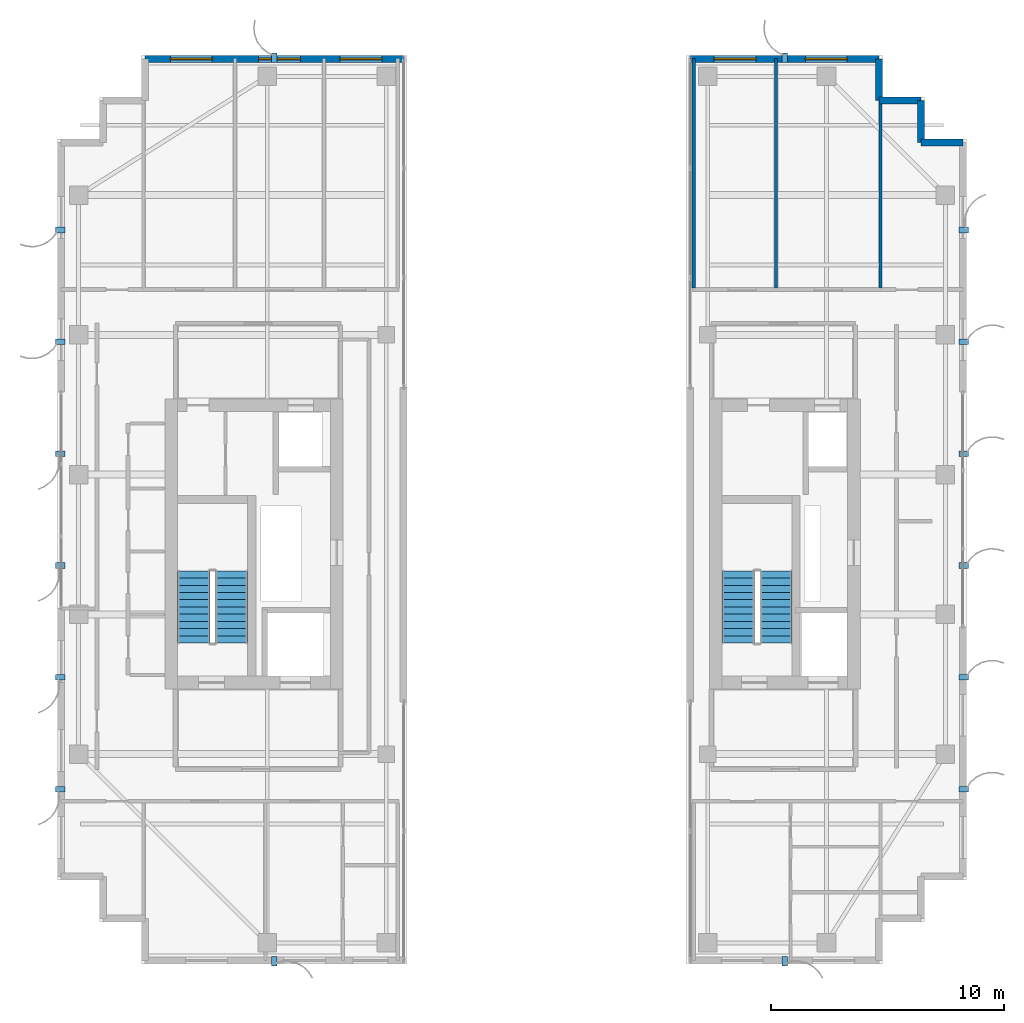
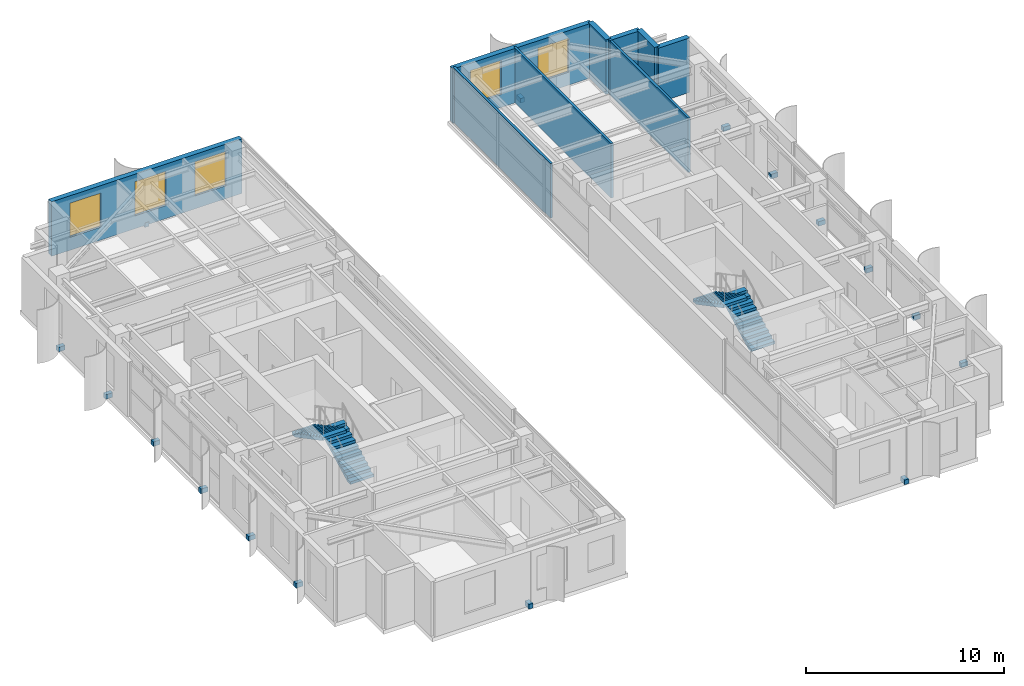
# One storey, part 21 of 24: 16 discrete accessories, 9 walls, 5 windows, 4 stair flights, 5 openings, 2 elements without a shape of their own.
"""IFC4 building model written with IfcOpenShell, lengths in metres."""

from ifc_helpers import new_model, si_unit, direction, frame, frame_2d, origin, origin_2d, place, context, subcontext, project, spatial, polyline, rectangle, outline, extrude, source, transform, mapped, material, layer, layer_set, type_object, element, fill, aggregate, save


model = new_model("IFC4")

# Units and contexts
model_context = context("Model", 3, precision=1e-05, world=origin(), true_north=direction((0.0, 1.0)))
body_context = subcontext(model_context, "Body", "Model", "MODEL_VIEW")
ifc_project = project(units=[si_unit("LENGTHUNIT", "METRE"), si_unit("AREAUNIT", "SQUARE_METRE"), si_unit("VOLUMEUNIT", "CUBIC_METRE"), si_unit("PLANEANGLEUNIT", "RADIAN"), si_unit("MASSUNIT", "GRAM", prefix="KILO")], contexts=[model_context])

# Site, building, storey
site_placement = place(None, origin())
site = spatial("IfcSite", under=ifc_project, at=site_placement, CompositionType="ELEMENT")
building_placement = place(site_placement, origin())
building = spatial("IfcBuilding", under=site, at=building_placement, Name="Khoralis Quay Care Tower", CompositionType="ELEMENT")
storey_placement = place(building_placement, frame((0.0, 0.0, 231.300048828125)))
storey = spatial("IfcBuildingStorey", under=building, at=storey_placement, Name="L60", CompositionType="ELEMENT", Elevation=231.300048828125)

# Wall, openings, windows
ifc_material_1 = material(Name="Precast concrete C45/55", Category="concrete")
ifc_layer_1 = layer(ifc_material_1, 0.300048828125)
ifc_layer_set_1 = layer_set([ifc_layer_1], Name="Precast concrete C45/55")
wall_type_1 = type_object("IfcWallType", Name="WL-EXT-REF-300", PredefinedType="SOLIDWALL", material=ifc_layer_set_1)
wall_1_placement = place(storey_placement, frame((17.85009765625, 41.85009765625, 0.0), z_axis=(0.0, 0.0, 1.0), x_axis=(-1.0, 0.0, 0.0)))
wall_1 = element("IfcWall", 1, at=wall_1_placement, inside=storey, type_object=wall_type_1, Name="L60 External Facade Wall WL-EXT-L60-P1-E2", PredefinedType="SOLIDWALL", context=body_context, shape_type="SweptSolid", body=[
    extrude(rectangle(XDim=11.10009765625, YDim=0.300048828125, at=frame_2d((5.550048828125, 0.0))), origin(), (0.0, 0.0, 1.0), 3.35986328125),
])
opening_1_placement = place(wall_1_placement, frame((0.93505859375, 0.0, 0.800048828125)))
opening_1 = element("IfcOpeningElement", 2, at=opening_1_placement, cuts=wall_1, Name="Opening W2", PredefinedType="OPENING", context=body_context, shape_type="SweptSolid", body=[
    extrude(rectangle(XDim=1.800048828125, YDim=2.10009765625, at=frame_2d((0.89990234375, 1.050048828125))), frame((0.0, 0.16015625, 0.0), z_axis=(0.0, -1.0, 0.0), x_axis=(1.0, 0.0, 0.0)), (0.0, 0.0, 1.0), 0.320068359375),
])
opening_2_placement = place(wall_1_placement, frame((4.429931640625, 0.0, 0.800048828125)))
opening_2 = element("IfcOpeningElement", 3, at=opening_2_placement, cuts=wall_1, Name="Opening W2", PredefinedType="OPENING", context=body_context, shape_type="SweptSolid", body=[
    extrude(rectangle(XDim=1.800048828125, YDim=2.10009765625, at=frame_2d((0.89990234375, 1.050048828125))), frame((0.0, 0.16015625, 0.0), z_axis=(0.0, -1.0, 0.0), x_axis=(1.0, 0.0, 0.0)), (0.0, 0.0, 1.0), 0.320068359375),
])
opening_3_placement = place(wall_1_placement, frame((8.219970703125, 0.0, 0.800048828125)))
opening_3 = element("IfcOpeningElement", 4, at=opening_3_placement, cuts=wall_1, Name="Opening W2", PredefinedType="OPENING", context=body_context, shape_type="SweptSolid", body=[
    extrude(rectangle(XDim=1.800048828125, YDim=2.10009765625, at=frame_2d((0.89990234375, 1.050048828125))), frame((0.0, 0.16015625, 0.0), z_axis=(0.0, -1.0, 0.0), x_axis=(1.0, 0.0, 0.0)), (0.0, 0.0, 1.0), 0.320068359375),
])
ifc_material_2 = material(Name="Low-E solar-control double glazing", Category="glass")
window_type = type_object("IfcWindowType", Name="WN-POD-1800X2100", PartitioningType="SINGLE_PANEL", PredefinedType="WINDOW", material=ifc_material_2)
shared_shape_1 = source(origin(), body_context, "Body", "SweptSolid", [
    extrude(rectangle(XDim=1.800048828125, YDim=2.10009765625, at=frame_2d((0.89990234375, 1.050048828125))), frame((0.0, 0.030029296875, 0.0), z_axis=(0.0, -1.0, 0.0), x_axis=(1.0, 0.0, 0.0)), (0.0, 0.0, 1.0), 0.06005859375),
])
window_1_placement = place(opening_1_placement, origin())
window_1 = element("IfcWindow", 5, at=window_1_placement, inside=storey, type_object=window_type, Name="WN-L60-P1-E2 Facade Window 01", OverallHeight=2.10009765625, OverallWidth=1.800048828125, PartitioningType="SINGLE_PANEL", PredefinedType="WINDOW", context=body_context, shape_type="MappedRepresentation", body=[
    mapped(shared_shape_1, transform((0.0, 0.0, 0.0), scale=1.0)),
])
fill(opening_1, window_1)
window_2_placement = place(opening_2_placement, origin())
window_2 = element("IfcWindow", 6, at=window_2_placement, inside=storey, type_object=window_type, Name="WN-L60-P1-E2 Facade Window 02", OverallHeight=2.10009765625, OverallWidth=1.800048828125, PartitioningType="SINGLE_PANEL", PredefinedType="WINDOW", context=body_context, shape_type="MappedRepresentation", body=[
    mapped(shared_shape_1, transform((0.0, 0.0, 0.0), scale=1.0)),
])
fill(opening_2, window_2)
window_3_placement = place(opening_3_placement, origin())
window_3 = element("IfcWindow", 7, at=window_3_placement, inside=storey, type_object=window_type, Name="WN-L60-P1-E2 Facade Window 03", OverallHeight=2.10009765625, OverallWidth=1.800048828125, PartitioningType="SINGLE_PANEL", PredefinedType="WINDOW", context=body_context, shape_type="MappedRepresentation", body=[
    mapped(shared_shape_1, transform((0.0, 0.0, 0.0), scale=1.0)),
])
fill(opening_3, window_3)

# Walls
for number, where, z_axis, x_axis, name in (
    (8, (41.85009765625, 38.25, 0.0), (0.0, 0.0, 1.0), (-1.0, 0.0, 0.0), "L60 External Facade Wall WL-EXT-L60-P2-C6"),
    (9, (40.050048828125, 38.25, 0.0), (0.0, 0.0, 1.0), (0.0, 1.0, 0.0), "L60 External Facade Wall WL-EXT-L60-P2-C7"),
    (10, (40.050048828125, 40.050048828125, 0.0), (0.0, 0.0, 1.0), (-1.0, 0.0, 0.0), "L60 External Facade Wall WL-EXT-L60-P2-C8"),
    (11, (38.25, 40.050048828125, 0.0), (0.0, 0.0, 1.0), (0.0, 1.0, 0.0), "L60 External Facade Wall WL-EXT-L60-P2-C9"),
):
    element("IfcWall", number, at=place(storey_placement, frame(where, z_axis=z_axis, x_axis=x_axis)), inside=storey, type_object=wall_type_1, Name=name, PredefinedType="SOLIDWALL", context=body_context, shape_type="SweptSolid", body=[
        extrude(rectangle(XDim=1.800048828125, YDim=0.300048828125, at=frame_2d((0.89990234375, 0.0))), origin(), (0.0, 0.0, 1.0), 3.35986328125),
    ])

# Wall, openings, windows
wall_2_placement = place(storey_placement, frame((38.25, 41.85009765625, 0.0), z_axis=(0.0, 0.0, 1.0), x_axis=(-1.0, 0.0, 0.0)))
wall_2 = element("IfcWall", 12, at=wall_2_placement, inside=storey, type_object=wall_type_1, Name="L60 External Facade Wall WL-EXT-L60-P2-E10", PredefinedType="SOLIDWALL", context=body_context, shape_type="SweptSolid", body=[
    extrude(rectangle(XDim=8.10009765625, YDim=0.300048828125, at=frame_2d((4.050048828125, 0.0))), origin(), (0.0, 0.0, 1.0), 3.35986328125),
])
opening_4_placement = place(wall_2_placement, frame((1.360107421875, 0.0, 0.800048828125)))
opening_4 = element("IfcOpeningElement", 13, at=opening_4_placement, cuts=wall_2, Name="Opening W2", PredefinedType="OPENING", context=body_context, shape_type="SweptSolid", body=[
    extrude(rectangle(XDim=1.800048828125, YDim=2.10009765625, at=frame_2d((0.89990234375, 1.050048828125))), frame((0.0, 0.16015625, 0.0), z_axis=(0.0, -1.0, 0.0), x_axis=(1.0, 0.0, 0.0)), (0.0, 0.0, 1.0), 0.320068359375),
])
opening_5_placement = place(wall_2_placement, frame((5.284912109375, 0.0, 0.800048828125)))
opening_5 = element("IfcOpeningElement", 14, at=opening_5_placement, cuts=wall_2, Name="Opening W2", PredefinedType="OPENING", context=body_context, shape_type="SweptSolid", body=[
    extrude(rectangle(XDim=1.800048828125, YDim=2.10009765625, at=frame_2d((0.89990234375, 1.050048828125))), frame((0.0, 0.16015625, 0.0), z_axis=(0.0, -1.0, 0.0), x_axis=(1.0, 0.0, 0.0)), (0.0, 0.0, 1.0), 0.320068359375),
])
window_4_placement = place(opening_4_placement, origin())
window_4 = element("IfcWindow", 15, at=window_4_placement, inside=storey, type_object=window_type, Name="WN-L60-P2-E10 Facade Window 01", OverallHeight=2.10009765625, OverallWidth=1.800048828125, PartitioningType="SINGLE_PANEL", PredefinedType="WINDOW", context=body_context, shape_type="MappedRepresentation", body=[
    mapped(shared_shape_1, transform((0.0, 0.0, 0.0), scale=1.0)),
])
fill(opening_4, window_4)
window_5_placement = place(opening_5_placement, origin())
window_5 = element("IfcWindow", 16, at=window_5_placement, inside=storey, type_object=window_type, Name="WN-L60-P2-E10 Facade Window 02", OverallHeight=2.10009765625, OverallWidth=1.800048828125, PartitioningType="SINGLE_PANEL", PredefinedType="WINDOW", context=body_context, shape_type="MappedRepresentation", body=[
    mapped(shared_shape_1, transform((0.0, 0.0, 0.0), scale=1.0)),
])
fill(opening_5, window_5)

# Walls
ifc_material_3 = material(Name="Gypsum plasterboard on acoustic metal stud")
ifc_layer_2 = layer(ifc_material_3, 0.139892578125)
ifc_layer_set_2 = layer_set([ifc_layer_2], Name="Gypsum plasterboard on acoustic metal stud")
wall_type_2 = type_object("IfcWallType", Name="WL-UNIT-140", PredefinedType="PARTITIONING", material=ifc_layer_set_2)
for number, where, z_axis, x_axis, name in (
    (17, (30.300048828125, 32.017578125, 0.0), (0.0, 0.0, 1.0), (0.0, 1.0, 0.0), "L60 EN Demising Wall 0"),
    (18, (33.830078125, 32.017578125, 0.0), (0.0, 0.0, 1.0), (0.0, 1.0, 0.0), "L60 EN Demising Wall 1"),
):
    element("IfcWall", number, at=place(storey_placement, frame(where, z_axis=z_axis, x_axis=x_axis)), inside=storey, type_object=wall_type_2, Name=name, PredefinedType="PARTITIONING", context=body_context, shape_type="SweptSolid", body=[
        extrude(rectangle(XDim=9.83740234375, YDim=0.139892578125, at=frame_2d((4.918701171875, 0.0))), origin(), (0.0, 0.0, 1.0), 3.35986328125),
    ])
wall_3_placement = place(storey_placement, frame((38.320068359375, 32.017578125, 0.0), z_axis=(0.0, 0.0, 1.0), x_axis=(0.0, 1.0, 0.0)))
element("IfcWall", 19, at=wall_3_placement, inside=storey, type_object=wall_type_2, Name="L60 EN Demising Wall 2", PredefinedType="PARTITIONING", context=body_context, shape_type="SweptSolid", body=[
    extrude(rectangle(XDim=8.037353515625, YDim=0.139892578125, at=frame_2d((4.0185546875, 0.0))), origin(), (0.0, 0.0, 1.0), 3.35986328125),
])

# Stair, stair flights
stair_type = type_object("IfcStairType", Name="ST-TWR-DOGLEG-1400", PredefinedType="HALF_TURN_STAIR", material=ifc_material_1)
stair_1_placement = place(storey_placement, origin())
stair_1 = element("IfcStair", 20, at=stair_1_placement, inside=storey, type_object=stair_type, Name="L60 West Core Exit Stair ST-T1", PredefinedType="HALF_TURN_STAIR")
stair_flight_type = type_object("IfcStairFlightType", Name="SF-TWR-1400", PredefinedType="STRAIGHT", material=ifc_material_1)
shared_shape_2 = source(origin(), body_context, "Body", "SweptSolid", [
    extrude(outline(polyline([(0.0, 0.0), (0.0, 0.16357421875), (0.31005859375, 0.16357421875), (0.31005859375, 0.327392578125), (0.6201171875, 0.327392578125), (0.6201171875, 0.490966796875), (0.929931640625, 0.490966796875), (0.929931640625, 0.654541015625), (1.239990234375, 0.654541015625), (1.239990234375, 0.818115234375), (1.550048828125, 0.818115234375), (1.550048828125, 0.98193359375), (1.860107421875, 0.98193359375), (1.860107421875, 1.1455078125), (2.169921875, 1.1455078125), (2.169921875, 1.30908203125), (2.47998046875, 1.30908203125), (2.47998046875, 1.47265625), (2.7900390625, 1.47265625), (2.7900390625, 1.636474609375), (3.10009765625, 1.636474609375), (3.10009765625, 1.800048828125), (3.10009765625, 1.466796875), (0.321044921875, 0.0), (0.0, 0.0)])), frame((0.0, 0.68994140625, 0.0), z_axis=(0.0, -1.0, 0.0), x_axis=(1.0, 0.0, 0.0)), (0.0, 0.0, 1.0), 1.3798828125),
])
stair_flight_1_placement = place(storey_placement, frame((10.4599609375, 16.77001953125, 0.0), z_axis=(0.0, 0.0, 1.0), x_axis=(0.0, 1.0, 0.0)))
stair_flight_1 = element("IfcStairFlight", 21, at=stair_flight_1_placement, type_object=stair_flight_type, Name="ST-T1 flight 1", NumberOfRisers=11, NumberOfTreads=10, PredefinedType="STRAIGHT", RiserHeight=0.163636364, TreadLength=0.31, context=body_context, shape_type="MappedRepresentation", body=[
    mapped(shared_shape_2, transform((0.0, 0.0, 0.0), scale=1.0)),
])
stair_flight_2_placement = place(storey_placement, frame((8.840087890625, 19.8701171875, 1.800048828125), z_axis=(0.0, 0.0, 1.0), x_axis=(0.0, -1.0, 0.0)))
stair_flight_2 = element("IfcStairFlight", 22, at=stair_flight_2_placement, type_object=stair_flight_type, Name="ST-T1 flight 2", NumberOfRisers=11, NumberOfTreads=10, PredefinedType="STRAIGHT", RiserHeight=0.163636364, TreadLength=0.31, context=body_context, shape_type="MappedRepresentation", body=[
    mapped(shared_shape_2, transform((0.0, 0.0, 0.0), scale=1.0)),
])
aggregate(stair_1, [stair_flight_1, stair_flight_2])

stair_2_placement = place(storey_placement, origin())
stair_2 = element("IfcStair", 23, at=stair_2_placement, inside=storey, type_object=stair_type, Name="L60 East Core Exit Stair ST-T2", PredefinedType="HALF_TURN_STAIR")
stair_flight_3_placement = place(storey_placement, frame((33.830078125, 16.77001953125, 0.0), z_axis=(0.0, 0.0, 1.0), x_axis=(0.0, 1.0, 0.0)))
stair_flight_3 = element("IfcStairFlight", 24, at=stair_flight_3_placement, type_object=stair_flight_type, Name="ST-T2 flight 1", NumberOfRisers=11, NumberOfTreads=10, PredefinedType="STRAIGHT", RiserHeight=0.163636364, TreadLength=0.31, context=body_context, shape_type="MappedRepresentation", body=[
    mapped(shared_shape_2, transform((0.0, 0.0, 0.0), scale=1.0)),
])
stair_flight_4_placement = place(storey_placement, frame((32.2099609375, 19.8701171875, 1.800048828125), z_axis=(0.0, 0.0, 1.0), x_axis=(0.0, -1.0, 0.0)))
stair_flight_4 = element("IfcStairFlight", 25, at=stair_flight_4_placement, type_object=stair_flight_type, Name="ST-T2 flight 2", NumberOfRisers=11, NumberOfTreads=10, PredefinedType="STRAIGHT", RiserHeight=0.163636364, TreadLength=0.31, context=body_context, shape_type="MappedRepresentation", body=[
    mapped(shared_shape_2, transform((0.0, 0.0, 0.0), scale=1.0)),
])
aggregate(stair_2, [stair_flight_3, stair_flight_4])

# Discrete accessories
ifc_material_4 = material(Name="Brushed stainless steel", Category="steel")
discrete_accessory_type = type_object("IfcDiscreteAccessoryType", Name="ACC-FIN-BRACKET", PredefinedType="BRACKET", material=ifc_material_4)
shared_shape_3 = source(origin(), body_context, "Body", "SweptSolid", [
    extrude(rectangle(XDim=0.39990234375, YDim=0.239990234375, at=origin_2d()), origin(), (0.0, 0.0, 1.0), 0.280029296875),
])
for number, where, z_axis, x_axis, name in (
    (26, (12.300048828125, 3.110107421875, -0.1201171875), (0.0, 0.0, 1.0), (0.0, -1.0, 0.0), "L60 Solar Fin Bracket P1E0-01"),
    (27, (12.300048828125, 41.889892578125, -0.1201171875), (0.0, 0.0, 1.0), (0.0, 1.0, 0.0), "L60 Solar Fin Bracket P1E2-01"),
    (28, (3.110107421875, 34.5, -0.1201171875), (0.0, 0.0, 1.0), (-1.0, 0.0, 0.0), "L60 Solar Fin Bracket P1E7-01"),
    (29, (3.110107421875, 29.699951171875, -0.1201171875), (0.0, 0.0, 1.0), (-1.0, 0.0, 0.0), "L60 Solar Fin Bracket P1E7-02"),
    (30, (3.110107421875, 24.89990234375, -0.1201171875), (0.0, 0.0, 1.0), (-1.0, 0.0, 0.0), "L60 Solar Fin Bracket P1E7-03"),
    (31, (3.110107421875, 20.10009765625, -0.1201171875), (0.0, 0.0, 1.0), (-1.0, 0.0, 0.0), "L60 Solar Fin Bracket P1E7-04"),
    (32, (3.110107421875, 15.300048828125, -0.1201171875), (0.0, 0.0, 1.0), (-1.0, 0.0, 0.0), "L60 Solar Fin Bracket P1E7-05"),
    (33, (3.110107421875, 10.5, -0.1201171875), (0.0, 0.0, 1.0), (-1.0, 0.0, 0.0), "L60 Solar Fin Bracket P1E7-06"),
    (34, (34.199951171875, 3.110107421875, -0.1201171875), (0.0, 0.0, 1.0), (0.0, -1.0, 0.0), "L60 Solar Fin Bracket P2E0-01"),
    (35, (41.889892578125, 10.5, -0.1201171875), (0.0, 0.0, 1.0), (1.0, 0.0, 0.0), "L60 Solar Fin Bracket P2E5-01"),
    (36, (41.889892578125, 15.300048828125, -0.1201171875), (0.0, 0.0, 1.0), (1.0, 0.0, 0.0), "L60 Solar Fin Bracket P2E5-02"),
    (37, (41.889892578125, 20.10009765625, -0.1201171875), (0.0, 0.0, 1.0), (1.0, 0.0, 0.0), "L60 Solar Fin Bracket P2E5-03"),
    (38, (41.889892578125, 24.89990234375, -0.1201171875), (0.0, 0.0, 1.0), (1.0, 0.0, 0.0), "L60 Solar Fin Bracket P2E5-04"),
    (39, (41.889892578125, 29.699951171875, -0.1201171875), (0.0, 0.0, 1.0), (1.0, 0.0, 0.0), "L60 Solar Fin Bracket P2E5-05"),
    (40, (41.889892578125, 34.5, -0.1201171875), (0.0, 0.0, 1.0), (1.0, 0.0, 0.0), "L60 Solar Fin Bracket P2E5-06"),
    (41, (34.199951171875, 41.889892578125, -0.1201171875), (0.0, 0.0, 1.0), (0.0, 1.0, 0.0), "L60 Solar Fin Bracket P2E10-01"),
):
    element("IfcDiscreteAccessory", number, at=place(storey_placement, frame(where, z_axis=z_axis, x_axis=x_axis)), inside=storey, type_object=discrete_accessory_type, Name=name, PredefinedType="BRACKET", context=body_context, shape_type="MappedRepresentation", body=[
        mapped(shared_shape_3, transform((0.0, 0.0, 0.0), scale=1.0)),
    ])

save(model, "model.ifc")
